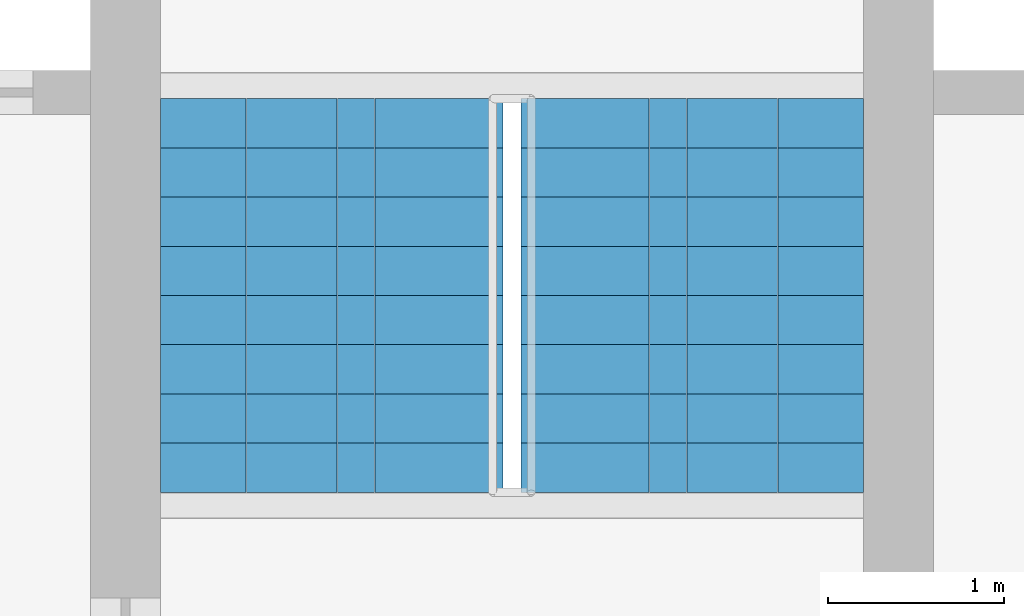
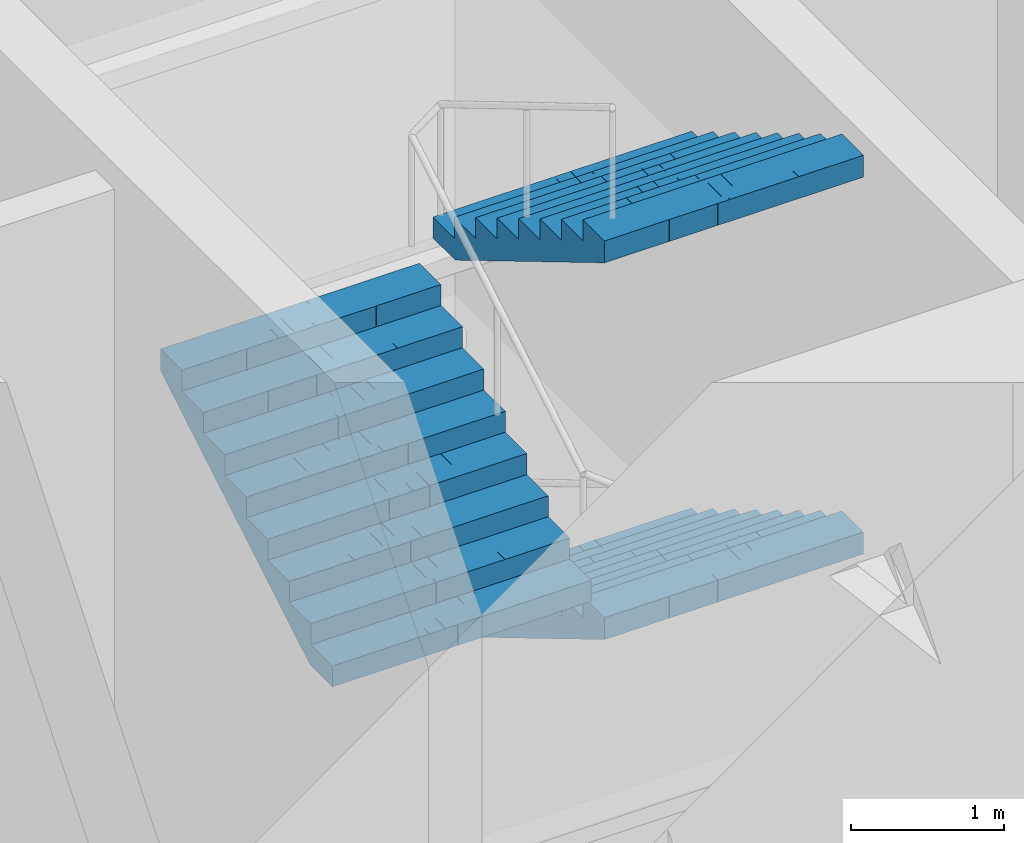
# One storey, part 17 of 20: 3 stair flights, 1 element without a shape of its own.
"""IFC4 building model written with IfcOpenShell, lengths in metres."""

from ifc_helpers import new_model, si_unit, direction, frame, origin, place, context, subcontext, project, spatial, polyline, outline, extrude, material, type_object, element, aggregate, save


model = new_model("IFC4")

# Units and contexts
model_context = context("Model", 3, precision=1e-05, world=origin(), true_north=direction((0.0, 1.0)))
body_context = subcontext(model_context, "Body", "Model", "MODEL_VIEW")
ifc_project = project(units=[si_unit("LENGTHUNIT", "METRE"), si_unit("AREAUNIT", "SQUARE_METRE"), si_unit("VOLUMEUNIT", "CUBIC_METRE"), si_unit("PLANEANGLEUNIT", "RADIAN"), si_unit("MASSUNIT", "GRAM", prefix="KILO")], contexts=[model_context])

# Site, building, storey
site_placement = place(None, origin())
site = spatial("IfcSite", under=ifc_project, at=site_placement, CompositionType="ELEMENT")
building_placement = place(site_placement, origin())
building = spatial("IfcBuilding", under=site, at=building_placement, Name="Mizan Broadcast Tower", CompositionType="ELEMENT")
storey_placement = place(building_placement, frame((0.0, 0.0, 118.199951171875)))
storey = spatial("IfcBuildingStorey", under=building, at=storey_placement, Name="L26", CompositionType="ELEMENT", Elevation=118.199951171875)

# Stair, stair flights
ifc_material_1 = material(Name="Concrete C40/50", Category="concrete")
stair_type = type_object("IfcStairType", Name="EXIT STAIR", PredefinedType="HALF_TURN_STAIR", material=ifc_material_1)
stair_placement = place(storey_placement, origin())
stair = element("IfcStair", 1, at=stair_placement, inside=storey, type_object=stair_type, Name="Stair A L26", PredefinedType="HALF_TURN_STAIR")
ifc_material_2 = material(Name="Concrete C40/50", Category="concrete")
stair_flight_type = type_object("IfcStairFlightType", Name="EXIT STAIR FLIGHT", PredefinedType="STRAIGHT", material=ifc_material_2)
stair_flight_1_placement = place(storey_placement, frame((1.02490234375, -5.659912109375, 1.5), z_axis=(0.0, 0.0, 1.0), x_axis=(0.0, -1.0, 0.0)))
stair_flight_1 = element("IfcStairFlight", 2, at=stair_flight_1_placement, type_object=stair_flight_type, Name="A flight 2", NumberOfRisers=9, NumberOfTreads=8, PredefinedType="STRAIGHT", RiserHeight=0.166666667, TreadLength=0.28, context=body_context, shape_type="SweptSolid", body=[
    extrude(outline(polyline([(0.0, 0.0), (0.0, 0.166748046875), (0.280029296875, 0.166748046875), (0.280029296875, 0.333251953125), (0.56005859375, 0.333251953125), (0.56005859375, 0.5), (0.840087890625, 0.5), (0.840087890625, 0.666748046875), (1.1201171875, 0.666748046875), (1.1201171875, 0.833251953125), (1.39990234375, 0.833251953125), (1.39990234375, 1.0), (1.679931640625, 1.0), (1.679931640625, 1.166748046875), (1.9599609375, 1.166748046875), (1.9599609375, 1.333251953125), (2.239990234375, 1.333251953125), (2.239990234375, 1.5), (2.239990234375, 1.158935546875), (0.29296875, 0.0), (0.0, 0.0)])), frame((0.0, 0.97509765625, 0.0), z_axis=(0.0, -1.0, 0.0), x_axis=(1.0, 0.0, 0.0)), (0.0, 0.0, 1.0), 0.4873046875),
    extrude(outline(polyline([(0.0, 0.0), (0.0, 0.166748046875), (0.280029296875, 0.166748046875), (0.280029296875, 0.333251953125), (0.56005859375, 0.333251953125), (0.56005859375, 0.5), (0.840087890625, 0.5), (0.840087890625, 0.666748046875), (1.1201171875, 0.666748046875), (1.1201171875, 0.833251953125), (1.39990234375, 0.833251953125), (1.39990234375, 1.0), (1.679931640625, 1.0), (1.679931640625, 1.166748046875), (1.9599609375, 1.166748046875), (1.9599609375, 1.333251953125), (2.239990234375, 1.333251953125), (2.239990234375, 1.5), (2.239990234375, 1.158935546875), (0.29296875, 0.0), (0.0, 0.0)])), frame((0.0, 0.4873046875, 0.0), z_axis=(0.0, -1.0, 0.0), x_axis=(1.0, 0.0, 0.0)), (0.0, 0.0, 1.0), 0.2431640625),
    extrude(outline(polyline([(0.0, 0.0), (0.0, 0.166748046875), (0.280029296875, 0.166748046875), (0.280029296875, 0.333251953125), (0.56005859375, 0.333251953125), (0.56005859375, 0.5), (0.840087890625, 0.5), (0.840087890625, 0.666748046875), (1.1201171875, 0.666748046875), (1.1201171875, 0.833251953125), (1.39990234375, 0.833251953125), (1.39990234375, 1.0), (1.679931640625, 1.0), (1.679931640625, 1.166748046875), (1.9599609375, 1.166748046875), (1.9599609375, 1.333251953125), (2.239990234375, 1.333251953125), (2.239990234375, 1.5), (2.239990234375, 1.158935546875), (0.29296875, 0.0), (0.0, 0.0)])), frame((0.0, 0.24365234375, 0.0), z_axis=(0.0, -1.0, 0.0), x_axis=(1.0, 0.0, 0.0)), (0.0, 0.0, 1.0), 0.121337890625),
    extrude(outline(polyline([(0.0, 0.0), (0.0, 0.166748046875), (0.280029296875, 0.166748046875), (0.280029296875, 0.333251953125), (0.56005859375, 0.333251953125), (0.56005859375, 0.5), (0.840087890625, 0.5), (0.840087890625, 0.666748046875), (1.1201171875, 0.666748046875), (1.1201171875, 0.833251953125), (1.39990234375, 0.833251953125), (1.39990234375, 1.0), (1.679931640625, 1.0), (1.679931640625, 1.166748046875), (1.9599609375, 1.166748046875), (1.9599609375, 1.333251953125), (2.239990234375, 1.333251953125), (2.239990234375, 1.5), (2.239990234375, 1.158935546875), (0.29296875, 0.0), (0.0, 0.0)])), frame((0.0, 0.121826171875, 0.0), z_axis=(0.0, -1.0, 0.0), x_axis=(1.0, 0.0, 0.0)), (0.0, 0.0, 1.0), 0.060546875),
    extrude(outline(polyline([(0.0, 0.0), (0.0, 0.166748046875), (0.280029296875, 0.166748046875), (0.280029296875, 0.333251953125), (0.56005859375, 0.333251953125), (0.56005859375, 0.5), (0.840087890625, 0.5), (0.840087890625, 0.666748046875), (1.1201171875, 0.666748046875), (1.1201171875, 0.833251953125), (1.39990234375, 0.833251953125), (1.39990234375, 1.0), (1.679931640625, 1.0), (1.679931640625, 1.166748046875), (1.9599609375, 1.166748046875), (1.9599609375, 1.333251953125), (2.239990234375, 1.333251953125), (2.239990234375, 1.5), (2.239990234375, 1.158935546875), (0.29296875, 0.0), (0.0, 0.0)])), frame((0.0, 0.060791015625, 0.0), z_axis=(0.0, -1.0, 0.0), x_axis=(1.0, 0.0, 0.0)), (0.0, 0.0, 1.0), 0.030029296875),
    extrude(outline(polyline([(0.0, 0.0), (0.0, 0.166748046875), (0.280029296875, 0.166748046875), (0.280029296875, 0.333251953125), (0.56005859375, 0.333251953125), (0.56005859375, 0.5), (0.840087890625, 0.5), (0.840087890625, 0.666748046875), (1.1201171875, 0.666748046875), (1.1201171875, 0.833251953125), (1.39990234375, 0.833251953125), (1.39990234375, 1.0), (1.679931640625, 1.0), (1.679931640625, 1.166748046875), (1.9599609375, 1.166748046875), (1.9599609375, 1.333251953125), (2.239990234375, 1.333251953125), (2.239990234375, 1.5), (2.239990234375, 1.158935546875), (0.29296875, 0.0), (0.0, 0.0)])), frame((0.0, 0.0302734375, 0.0), z_axis=(0.0, -1.0, 0.0), x_axis=(1.0, 0.0, 0.0)), (0.0, 0.0, 1.0), 0.060302734375),
    extrude(outline(polyline([(0.0, 0.0), (0.0, 0.166748046875), (0.280029296875, 0.166748046875), (0.280029296875, 0.333251953125), (0.56005859375, 0.333251953125), (0.56005859375, 0.5), (0.840087890625, 0.5), (0.840087890625, 0.666748046875), (1.1201171875, 0.666748046875), (1.1201171875, 0.833251953125), (1.39990234375, 0.833251953125), (1.39990234375, 1.0), (1.679931640625, 1.0), (1.679931640625, 1.166748046875), (1.9599609375, 1.166748046875), (1.9599609375, 1.333251953125), (2.239990234375, 1.333251953125), (2.239990234375, 1.5), (2.239990234375, 1.158935546875), (0.29296875, 0.0), (0.0, 0.0)])), frame((0.0, -0.030517578125, 0.0), z_axis=(0.0, -1.0, 0.0), x_axis=(1.0, 0.0, 0.0)), (0.0, 0.0, 1.0), 0.030029296875),
    extrude(outline(polyline([(0.0, 0.0), (0.0, 0.166748046875), (0.280029296875, 0.166748046875), (0.280029296875, 0.333251953125), (0.56005859375, 0.333251953125), (0.56005859375, 0.5), (0.840087890625, 0.5), (0.840087890625, 0.666748046875), (1.1201171875, 0.666748046875), (1.1201171875, 0.833251953125), (1.39990234375, 0.833251953125), (1.39990234375, 1.0), (1.679931640625, 1.0), (1.679931640625, 1.166748046875), (1.9599609375, 1.166748046875), (1.9599609375, 1.333251953125), (2.239990234375, 1.333251953125), (2.239990234375, 1.5), (2.239990234375, 1.158935546875), (0.29296875, 0.0), (0.0, 0.0)])), frame((0.0, -0.06103515625, 0.0), z_axis=(0.0, -1.0, 0.0), x_axis=(1.0, 0.0, 0.0)), (0.0, 0.0, 1.0), 0.060546875),
    extrude(outline(polyline([(0.0, 0.0), (0.0, 0.166748046875), (0.280029296875, 0.166748046875), (0.280029296875, 0.333251953125), (0.56005859375, 0.333251953125), (0.56005859375, 0.5), (0.840087890625, 0.5), (0.840087890625, 0.666748046875), (1.1201171875, 0.666748046875), (1.1201171875, 0.833251953125), (1.39990234375, 0.833251953125), (1.39990234375, 1.0), (1.679931640625, 1.0), (1.679931640625, 1.166748046875), (1.9599609375, 1.166748046875), (1.9599609375, 1.333251953125), (2.239990234375, 1.333251953125), (2.239990234375, 1.5), (2.239990234375, 1.158935546875), (0.29296875, 0.0), (0.0, 0.0)])), frame((0.0, -0.1220703125, 0.0), z_axis=(0.0, -1.0, 0.0), x_axis=(1.0, 0.0, 0.0)), (0.0, 0.0, 1.0), 0.121337890625),
    extrude(outline(polyline([(0.0, 0.0), (0.0, 0.166748046875), (0.280029296875, 0.166748046875), (0.280029296875, 0.333251953125), (0.56005859375, 0.333251953125), (0.56005859375, 0.5), (0.840087890625, 0.5), (0.840087890625, 0.666748046875), (1.1201171875, 0.666748046875), (1.1201171875, 0.833251953125), (1.39990234375, 0.833251953125), (1.39990234375, 1.0), (1.679931640625, 1.0), (1.679931640625, 1.166748046875), (1.9599609375, 1.166748046875), (1.9599609375, 1.333251953125), (2.239990234375, 1.333251953125), (2.239990234375, 1.5), (2.239990234375, 1.158935546875), (0.29296875, 0.0), (0.0, 0.0)])), frame((0.0, -0.243896484375, 0.0), z_axis=(0.0, -1.0, 0.0), x_axis=(1.0, 0.0, 0.0)), (0.0, 0.0, 1.0), 0.2431640625),
    extrude(outline(polyline([(0.0, 0.0), (0.0, 0.166748046875), (0.280029296875, 0.166748046875), (0.280029296875, 0.333251953125), (0.56005859375, 0.333251953125), (0.56005859375, 0.5), (0.840087890625, 0.5), (0.840087890625, 0.666748046875), (1.1201171875, 0.666748046875), (1.1201171875, 0.833251953125), (1.39990234375, 0.833251953125), (1.39990234375, 1.0), (1.679931640625, 1.0), (1.679931640625, 1.166748046875), (1.9599609375, 1.166748046875), (1.9599609375, 1.333251953125), (2.239990234375, 1.333251953125), (2.239990234375, 1.5), (2.239990234375, 1.158935546875), (0.29296875, 0.0), (0.0, 0.0)])), frame((0.0, -0.487548828125, 0.0), z_axis=(0.0, -1.0, 0.0), x_axis=(1.0, 0.0, 0.0)), (0.0, 0.0, 1.0), 0.4873046875),
])
stair_flight_2_placement = place(storey_placement, frame((-1.02490234375, -7.89990234375, 3.0), z_axis=(0.0, 0.0, 1.0), x_axis=(0.0, 1.0, 0.0)))
stair_flight_2 = element("IfcStairFlight", 3, at=stair_flight_2_placement, type_object=stair_flight_type, Name="A flight 3", NumberOfRisers=9, NumberOfTreads=8, PredefinedType="STRAIGHT", RiserHeight=0.166666667, TreadLength=0.28, context=body_context, shape_type="SweptSolid", body=[
    extrude(outline(polyline([(0.0, 0.0), (0.0, 0.166748046875), (0.280029296875, 0.166748046875), (0.280029296875, 0.333251953125), (0.56005859375, 0.333251953125), (0.56005859375, 0.5), (0.840087890625, 0.5), (0.840087890625, 0.666748046875), (1.1201171875, 0.666748046875), (1.1201171875, 0.833251953125), (1.39990234375, 0.833251953125), (1.39990234375, 1.0), (1.679931640625, 1.0), (1.679931640625, 1.166748046875), (1.9599609375, 1.166748046875), (1.9599609375, 1.333251953125), (2.239990234375, 1.333251953125), (2.239990234375, 1.5), (2.239990234375, 1.158935546875), (0.29296875, 0.0), (0.0, 0.0)])), frame((0.0, 0.97509765625, 0.0), z_axis=(0.0, -1.0, 0.0), x_axis=(1.0, 0.0, 0.0)), (0.0, 0.0, 1.0), 0.4873046875),
    extrude(outline(polyline([(0.0, 0.0), (0.0, 0.166748046875), (0.280029296875, 0.166748046875), (0.280029296875, 0.333251953125), (0.56005859375, 0.333251953125), (0.56005859375, 0.5), (0.840087890625, 0.5), (0.840087890625, 0.666748046875), (1.1201171875, 0.666748046875), (1.1201171875, 0.833251953125), (1.39990234375, 0.833251953125), (1.39990234375, 1.0), (1.679931640625, 1.0), (1.679931640625, 1.166748046875), (1.9599609375, 1.166748046875), (1.9599609375, 1.333251953125), (2.239990234375, 1.333251953125), (2.239990234375, 1.5), (2.239990234375, 1.158935546875), (0.29296875, 0.0), (0.0, 0.0)])), frame((0.0, 0.4873046875, 0.0), z_axis=(0.0, -1.0, 0.0), x_axis=(1.0, 0.0, 0.0)), (0.0, 0.0, 1.0), 0.2431640625),
    extrude(outline(polyline([(0.0, 0.0), (0.0, 0.166748046875), (0.280029296875, 0.166748046875), (0.280029296875, 0.333251953125), (0.56005859375, 0.333251953125), (0.56005859375, 0.5), (0.840087890625, 0.5), (0.840087890625, 0.666748046875), (1.1201171875, 0.666748046875), (1.1201171875, 0.833251953125), (1.39990234375, 0.833251953125), (1.39990234375, 1.0), (1.679931640625, 1.0), (1.679931640625, 1.166748046875), (1.9599609375, 1.166748046875), (1.9599609375, 1.333251953125), (2.239990234375, 1.333251953125), (2.239990234375, 1.5), (2.239990234375, 1.158935546875), (0.29296875, 0.0), (0.0, 0.0)])), frame((0.0, 0.24365234375, 0.0), z_axis=(0.0, -1.0, 0.0), x_axis=(1.0, 0.0, 0.0)), (0.0, 0.0, 1.0), 0.121337890625),
    extrude(outline(polyline([(0.0, 0.0), (0.0, 0.166748046875), (0.280029296875, 0.166748046875), (0.280029296875, 0.333251953125), (0.56005859375, 0.333251953125), (0.56005859375, 0.5), (0.840087890625, 0.5), (0.840087890625, 0.666748046875), (1.1201171875, 0.666748046875), (1.1201171875, 0.833251953125), (1.39990234375, 0.833251953125), (1.39990234375, 1.0), (1.679931640625, 1.0), (1.679931640625, 1.166748046875), (1.9599609375, 1.166748046875), (1.9599609375, 1.333251953125), (2.239990234375, 1.333251953125), (2.239990234375, 1.5), (2.239990234375, 1.158935546875), (0.29296875, 0.0), (0.0, 0.0)])), frame((0.0, 0.121826171875, 0.0), z_axis=(0.0, -1.0, 0.0), x_axis=(1.0, 0.0, 0.0)), (0.0, 0.0, 1.0), 0.060546875),
    extrude(outline(polyline([(0.0, 0.0), (0.0, 0.166748046875), (0.280029296875, 0.166748046875), (0.280029296875, 0.333251953125), (0.56005859375, 0.333251953125), (0.56005859375, 0.5), (0.840087890625, 0.5), (0.840087890625, 0.666748046875), (1.1201171875, 0.666748046875), (1.1201171875, 0.833251953125), (1.39990234375, 0.833251953125), (1.39990234375, 1.0), (1.679931640625, 1.0), (1.679931640625, 1.166748046875), (1.9599609375, 1.166748046875), (1.9599609375, 1.333251953125), (2.239990234375, 1.333251953125), (2.239990234375, 1.5), (2.239990234375, 1.158935546875), (0.29296875, 0.0), (0.0, 0.0)])), frame((0.0, 0.060791015625, 0.0), z_axis=(0.0, -1.0, 0.0), x_axis=(1.0, 0.0, 0.0)), (0.0, 0.0, 1.0), 0.030029296875),
    extrude(outline(polyline([(0.0, 0.0), (0.0, 0.166748046875), (0.280029296875, 0.166748046875), (0.280029296875, 0.333251953125), (0.56005859375, 0.333251953125), (0.56005859375, 0.5), (0.840087890625, 0.5), (0.840087890625, 0.666748046875), (1.1201171875, 0.666748046875), (1.1201171875, 0.833251953125), (1.39990234375, 0.833251953125), (1.39990234375, 1.0), (1.679931640625, 1.0), (1.679931640625, 1.166748046875), (1.9599609375, 1.166748046875), (1.9599609375, 1.333251953125), (2.239990234375, 1.333251953125), (2.239990234375, 1.5), (2.239990234375, 1.158935546875), (0.29296875, 0.0), (0.0, 0.0)])), frame((0.0, 0.0302734375, 0.0), z_axis=(0.0, -1.0, 0.0), x_axis=(1.0, 0.0, 0.0)), (0.0, 0.0, 1.0), 0.060302734375),
    extrude(outline(polyline([(0.0, 0.0), (0.0, 0.166748046875), (0.280029296875, 0.166748046875), (0.280029296875, 0.333251953125), (0.56005859375, 0.333251953125), (0.56005859375, 0.5), (0.840087890625, 0.5), (0.840087890625, 0.666748046875), (1.1201171875, 0.666748046875), (1.1201171875, 0.833251953125), (1.39990234375, 0.833251953125), (1.39990234375, 1.0), (1.679931640625, 1.0), (1.679931640625, 1.166748046875), (1.9599609375, 1.166748046875), (1.9599609375, 1.333251953125), (2.239990234375, 1.333251953125), (2.239990234375, 1.5), (2.239990234375, 1.158935546875), (0.29296875, 0.0), (0.0, 0.0)])), frame((0.0, -0.030517578125, 0.0), z_axis=(0.0, -1.0, 0.0), x_axis=(1.0, 0.0, 0.0)), (0.0, 0.0, 1.0), 0.030029296875),
    extrude(outline(polyline([(0.0, 0.0), (0.0, 0.166748046875), (0.280029296875, 0.166748046875), (0.280029296875, 0.333251953125), (0.56005859375, 0.333251953125), (0.56005859375, 0.5), (0.840087890625, 0.5), (0.840087890625, 0.666748046875), (1.1201171875, 0.666748046875), (1.1201171875, 0.833251953125), (1.39990234375, 0.833251953125), (1.39990234375, 1.0), (1.679931640625, 1.0), (1.679931640625, 1.166748046875), (1.9599609375, 1.166748046875), (1.9599609375, 1.333251953125), (2.239990234375, 1.333251953125), (2.239990234375, 1.5), (2.239990234375, 1.158935546875), (0.29296875, 0.0), (0.0, 0.0)])), frame((0.0, -0.06103515625, 0.0), z_axis=(0.0, -1.0, 0.0), x_axis=(1.0, 0.0, 0.0)), (0.0, 0.0, 1.0), 0.060546875),
    extrude(outline(polyline([(0.0, 0.0), (0.0, 0.166748046875), (0.280029296875, 0.166748046875), (0.280029296875, 0.333251953125), (0.56005859375, 0.333251953125), (0.56005859375, 0.5), (0.840087890625, 0.5), (0.840087890625, 0.666748046875), (1.1201171875, 0.666748046875), (1.1201171875, 0.833251953125), (1.39990234375, 0.833251953125), (1.39990234375, 1.0), (1.679931640625, 1.0), (1.679931640625, 1.166748046875), (1.9599609375, 1.166748046875), (1.9599609375, 1.333251953125), (2.239990234375, 1.333251953125), (2.239990234375, 1.5), (2.239990234375, 1.158935546875), (0.29296875, 0.0), (0.0, 0.0)])), frame((0.0, -0.1220703125, 0.0), z_axis=(0.0, -1.0, 0.0), x_axis=(1.0, 0.0, 0.0)), (0.0, 0.0, 1.0), 0.121337890625),
    extrude(outline(polyline([(0.0, 0.0), (0.0, 0.166748046875), (0.280029296875, 0.166748046875), (0.280029296875, 0.333251953125), (0.56005859375, 0.333251953125), (0.56005859375, 0.5), (0.840087890625, 0.5), (0.840087890625, 0.666748046875), (1.1201171875, 0.666748046875), (1.1201171875, 0.833251953125), (1.39990234375, 0.833251953125), (1.39990234375, 1.0), (1.679931640625, 1.0), (1.679931640625, 1.166748046875), (1.9599609375, 1.166748046875), (1.9599609375, 1.333251953125), (2.239990234375, 1.333251953125), (2.239990234375, 1.5), (2.239990234375, 1.158935546875), (0.29296875, 0.0), (0.0, 0.0)])), frame((0.0, -0.243896484375, 0.0), z_axis=(0.0, -1.0, 0.0), x_axis=(1.0, 0.0, 0.0)), (0.0, 0.0, 1.0), 0.2431640625),
    extrude(outline(polyline([(0.0, 0.0), (0.0, 0.166748046875), (0.280029296875, 0.166748046875), (0.280029296875, 0.333251953125), (0.56005859375, 0.333251953125), (0.56005859375, 0.5), (0.840087890625, 0.5), (0.840087890625, 0.666748046875), (1.1201171875, 0.666748046875), (1.1201171875, 0.833251953125), (1.39990234375, 0.833251953125), (1.39990234375, 1.0), (1.679931640625, 1.0), (1.679931640625, 1.166748046875), (1.9599609375, 1.166748046875), (1.9599609375, 1.333251953125), (2.239990234375, 1.333251953125), (2.239990234375, 1.5), (2.239990234375, 1.158935546875), (0.29296875, 0.0), (0.0, 0.0)])), frame((0.0, -0.487548828125, 0.0), z_axis=(0.0, -1.0, 0.0), x_axis=(1.0, 0.0, 0.0)), (0.0, 0.0, 1.0), 0.4873046875),
])
stair_flight_3_placement = place(storey_placement, frame((1.02490234375, -5.659912109375, 4.5), z_axis=(0.0, 0.0, 1.0), x_axis=(0.0, -1.0, 0.0)))
stair_flight_3 = element("IfcStairFlight", 4, at=stair_flight_3_placement, type_object=stair_flight_type, Name="A flight 4", NumberOfRisers=9, NumberOfTreads=8, PredefinedType="STRAIGHT", RiserHeight=0.166666667, TreadLength=0.28, context=body_context, shape_type="SweptSolid", body=[
    extrude(outline(polyline([(0.0, 0.0), (0.0, 0.166748046875), (0.280029296875, 0.166748046875), (0.280029296875, 0.333251953125), (0.56005859375, 0.333251953125), (0.56005859375, 0.5), (0.840087890625, 0.5), (0.840087890625, 0.666748046875), (1.1201171875, 0.666748046875), (1.1201171875, 0.833251953125), (1.39990234375, 0.833251953125), (1.39990234375, 1.0), (1.679931640625, 1.0), (1.679931640625, 1.166748046875), (1.9599609375, 1.166748046875), (1.9599609375, 1.333251953125), (2.239990234375, 1.333251953125), (2.239990234375, 1.5), (2.239990234375, 1.158935546875), (0.29296875, 0.0), (0.0, 0.0)])), frame((0.0, 0.97509765625, 0.0), z_axis=(0.0, -1.0, 0.0), x_axis=(1.0, 0.0, 0.0)), (0.0, 0.0, 1.0), 0.4873046875),
    extrude(outline(polyline([(0.0, 0.0), (0.0, 0.166748046875), (0.280029296875, 0.166748046875), (0.280029296875, 0.333251953125), (0.56005859375, 0.333251953125), (0.56005859375, 0.5), (0.840087890625, 0.5), (0.840087890625, 0.666748046875), (1.1201171875, 0.666748046875), (1.1201171875, 0.833251953125), (1.39990234375, 0.833251953125), (1.39990234375, 1.0), (1.679931640625, 1.0), (1.679931640625, 1.166748046875), (1.9599609375, 1.166748046875), (1.9599609375, 1.333251953125), (2.239990234375, 1.333251953125), (2.239990234375, 1.5), (2.239990234375, 1.158935546875), (0.29296875, 0.0), (0.0, 0.0)])), frame((0.0, 0.4873046875, 0.0), z_axis=(0.0, -1.0, 0.0), x_axis=(1.0, 0.0, 0.0)), (0.0, 0.0, 1.0), 0.2431640625),
    extrude(outline(polyline([(0.0, 0.0), (0.0, 0.166748046875), (0.280029296875, 0.166748046875), (0.280029296875, 0.333251953125), (0.56005859375, 0.333251953125), (0.56005859375, 0.5), (0.840087890625, 0.5), (0.840087890625, 0.666748046875), (1.1201171875, 0.666748046875), (1.1201171875, 0.833251953125), (1.39990234375, 0.833251953125), (1.39990234375, 1.0), (1.679931640625, 1.0), (1.679931640625, 1.166748046875), (1.9599609375, 1.166748046875), (1.9599609375, 1.333251953125), (2.239990234375, 1.333251953125), (2.239990234375, 1.5), (2.239990234375, 1.158935546875), (0.29296875, 0.0), (0.0, 0.0)])), frame((0.0, 0.24365234375, 0.0), z_axis=(0.0, -1.0, 0.0), x_axis=(1.0, 0.0, 0.0)), (0.0, 0.0, 1.0), 0.121337890625),
    extrude(outline(polyline([(0.0, 0.0), (0.0, 0.166748046875), (0.280029296875, 0.166748046875), (0.280029296875, 0.333251953125), (0.56005859375, 0.333251953125), (0.56005859375, 0.5), (0.840087890625, 0.5), (0.840087890625, 0.666748046875), (1.1201171875, 0.666748046875), (1.1201171875, 0.833251953125), (1.39990234375, 0.833251953125), (1.39990234375, 1.0), (1.679931640625, 1.0), (1.679931640625, 1.166748046875), (1.9599609375, 1.166748046875), (1.9599609375, 1.333251953125), (2.239990234375, 1.333251953125), (2.239990234375, 1.5), (2.239990234375, 1.158935546875), (0.29296875, 0.0), (0.0, 0.0)])), frame((0.0, 0.121826171875, 0.0), z_axis=(0.0, -1.0, 0.0), x_axis=(1.0, 0.0, 0.0)), (0.0, 0.0, 1.0), 0.060546875),
    extrude(outline(polyline([(0.0, 0.0), (0.0, 0.166748046875), (0.280029296875, 0.166748046875), (0.280029296875, 0.333251953125), (0.56005859375, 0.333251953125), (0.56005859375, 0.5), (0.840087890625, 0.5), (0.840087890625, 0.666748046875), (1.1201171875, 0.666748046875), (1.1201171875, 0.833251953125), (1.39990234375, 0.833251953125), (1.39990234375, 1.0), (1.679931640625, 1.0), (1.679931640625, 1.166748046875), (1.9599609375, 1.166748046875), (1.9599609375, 1.333251953125), (2.239990234375, 1.333251953125), (2.239990234375, 1.5), (2.239990234375, 1.158935546875), (0.29296875, 0.0), (0.0, 0.0)])), frame((0.0, 0.060791015625, 0.0), z_axis=(0.0, -1.0, 0.0), x_axis=(1.0, 0.0, 0.0)), (0.0, 0.0, 1.0), 0.030029296875),
    extrude(outline(polyline([(0.0, 0.0), (0.0, 0.166748046875), (0.280029296875, 0.166748046875), (0.280029296875, 0.333251953125), (0.56005859375, 0.333251953125), (0.56005859375, 0.5), (0.840087890625, 0.5), (0.840087890625, 0.666748046875), (1.1201171875, 0.666748046875), (1.1201171875, 0.833251953125), (1.39990234375, 0.833251953125), (1.39990234375, 1.0), (1.679931640625, 1.0), (1.679931640625, 1.166748046875), (1.9599609375, 1.166748046875), (1.9599609375, 1.333251953125), (2.239990234375, 1.333251953125), (2.239990234375, 1.5), (2.239990234375, 1.158935546875), (0.29296875, 0.0), (0.0, 0.0)])), frame((0.0, 0.0302734375, 0.0), z_axis=(0.0, -1.0, 0.0), x_axis=(1.0, 0.0, 0.0)), (0.0, 0.0, 1.0), 0.060302734375),
    extrude(outline(polyline([(0.0, 0.0), (0.0, 0.166748046875), (0.280029296875, 0.166748046875), (0.280029296875, 0.333251953125), (0.56005859375, 0.333251953125), (0.56005859375, 0.5), (0.840087890625, 0.5), (0.840087890625, 0.666748046875), (1.1201171875, 0.666748046875), (1.1201171875, 0.833251953125), (1.39990234375, 0.833251953125), (1.39990234375, 1.0), (1.679931640625, 1.0), (1.679931640625, 1.166748046875), (1.9599609375, 1.166748046875), (1.9599609375, 1.333251953125), (2.239990234375, 1.333251953125), (2.239990234375, 1.5), (2.239990234375, 1.158935546875), (0.29296875, 0.0), (0.0, 0.0)])), frame((0.0, -0.030517578125, 0.0), z_axis=(0.0, -1.0, 0.0), x_axis=(1.0, 0.0, 0.0)), (0.0, 0.0, 1.0), 0.030029296875),
    extrude(outline(polyline([(0.0, 0.0), (0.0, 0.166748046875), (0.280029296875, 0.166748046875), (0.280029296875, 0.333251953125), (0.56005859375, 0.333251953125), (0.56005859375, 0.5), (0.840087890625, 0.5), (0.840087890625, 0.666748046875), (1.1201171875, 0.666748046875), (1.1201171875, 0.833251953125), (1.39990234375, 0.833251953125), (1.39990234375, 1.0), (1.679931640625, 1.0), (1.679931640625, 1.166748046875), (1.9599609375, 1.166748046875), (1.9599609375, 1.333251953125), (2.239990234375, 1.333251953125), (2.239990234375, 1.5), (2.239990234375, 1.158935546875), (0.29296875, 0.0), (0.0, 0.0)])), frame((0.0, -0.06103515625, 0.0), z_axis=(0.0, -1.0, 0.0), x_axis=(1.0, 0.0, 0.0)), (0.0, 0.0, 1.0), 0.060546875),
    extrude(outline(polyline([(0.0, 0.0), (0.0, 0.166748046875), (0.280029296875, 0.166748046875), (0.280029296875, 0.333251953125), (0.56005859375, 0.333251953125), (0.56005859375, 0.5), (0.840087890625, 0.5), (0.840087890625, 0.666748046875), (1.1201171875, 0.666748046875), (1.1201171875, 0.833251953125), (1.39990234375, 0.833251953125), (1.39990234375, 1.0), (1.679931640625, 1.0), (1.679931640625, 1.166748046875), (1.9599609375, 1.166748046875), (1.9599609375, 1.333251953125), (2.239990234375, 1.333251953125), (2.239990234375, 1.5), (2.239990234375, 1.158935546875), (0.29296875, 0.0), (0.0, 0.0)])), frame((0.0, -0.1220703125, 0.0), z_axis=(0.0, -1.0, 0.0), x_axis=(1.0, 0.0, 0.0)), (0.0, 0.0, 1.0), 0.121337890625),
    extrude(outline(polyline([(0.0, 0.0), (0.0, 0.166748046875), (0.280029296875, 0.166748046875), (0.280029296875, 0.333251953125), (0.56005859375, 0.333251953125), (0.56005859375, 0.5), (0.840087890625, 0.5), (0.840087890625, 0.666748046875), (1.1201171875, 0.666748046875), (1.1201171875, 0.833251953125), (1.39990234375, 0.833251953125), (1.39990234375, 1.0), (1.679931640625, 1.0), (1.679931640625, 1.166748046875), (1.9599609375, 1.166748046875), (1.9599609375, 1.333251953125), (2.239990234375, 1.333251953125), (2.239990234375, 1.5), (2.239990234375, 1.158935546875), (0.29296875, 0.0), (0.0, 0.0)])), frame((0.0, -0.243896484375, 0.0), z_axis=(0.0, -1.0, 0.0), x_axis=(1.0, 0.0, 0.0)), (0.0, 0.0, 1.0), 0.2431640625),
    extrude(outline(polyline([(0.0, 0.0), (0.0, 0.166748046875), (0.280029296875, 0.166748046875), (0.280029296875, 0.333251953125), (0.56005859375, 0.333251953125), (0.56005859375, 0.5), (0.840087890625, 0.5), (0.840087890625, 0.666748046875), (1.1201171875, 0.666748046875), (1.1201171875, 0.833251953125), (1.39990234375, 0.833251953125), (1.39990234375, 1.0), (1.679931640625, 1.0), (1.679931640625, 1.166748046875), (1.9599609375, 1.166748046875), (1.9599609375, 1.333251953125), (2.239990234375, 1.333251953125), (2.239990234375, 1.5), (2.239990234375, 1.158935546875), (0.29296875, 0.0), (0.0, 0.0)])), frame((0.0, -0.487548828125, 0.0), z_axis=(0.0, -1.0, 0.0), x_axis=(1.0, 0.0, 0.0)), (0.0, 0.0, 1.0), 0.4873046875),
])
aggregate(stair, [stair_flight_1, stair_flight_2, stair_flight_3])

save(model, "model.ifc")
